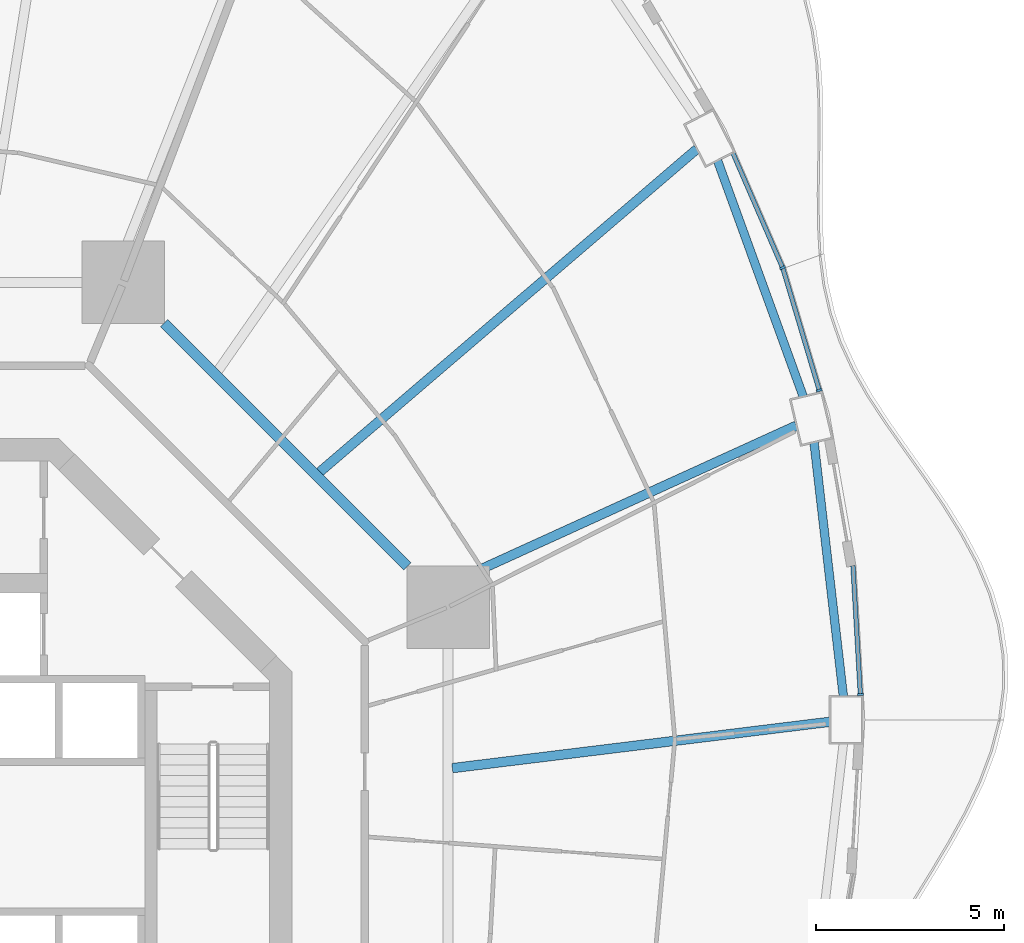
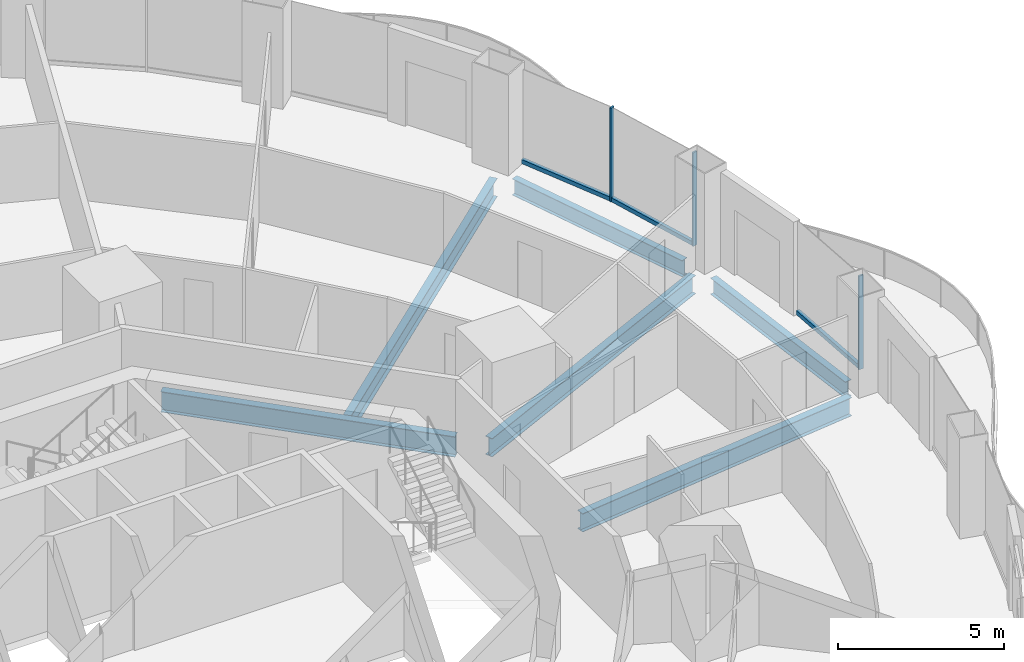
# One storey, part 10 of 22: 6 beams, 6 members, 3 elements without a shape of their own.
"""IFC4 building model written with IfcOpenShell, lengths in metres."""

import ifcopenshell
import ifcopenshell.guid

model = None  # the IFC model being written
_history = None  # IfcOwnerHistory: only IFC2X3 demands one
_inside = {}  # id of a spatial element -> (the spatial element, [elements in it])
_under = {}  # id of a project, library or spatial element -> (it, [spatial elements below it])
_declared = {}  # id of a project -> (the project, [libraries it declares])
_typed = {}  # id of a type object -> (the type object, [elements of that type])
_made_of = {}  # id of a material, layer set ... -> (it, [elements and type objects made of it])


def new_model(schema):
    """Start an empty IFC model of exactly this schema.

    Asked for "IFC4X3", IfcOpenShell would pick the latest addendum, in which some entities
    have other attributes; the version numbers below select the first issue.
    IFC2X3 requires an IfcOwnerHistory on every rooted entity: one is made here for all.
    """
    global model, _history
    if schema == "IFC4X3":
        model = ifcopenshell.file(schema_version=(4, 3, 0, 0))
    else:
        model = ifcopenshell.file(schema=schema)
    _inside.clear()
    _under.clear()
    _declared.clear()
    _typed.clear()
    _made_of.clear()
    _history = None
    if model.schema == "IFC2X3":
        org = make("IfcOrganization", Name="unknown")
        user = make(
            "IfcPersonAndOrganization",
            ThePerson=make("IfcPerson", FamilyName="unknown"),
            TheOrganization=org,
        )
        app = make(
            "IfcApplication",
            ApplicationDeveloper=org,
            Version="unknown",
            ApplicationFullName="unknown",
            ApplicationIdentifier="unknown",
        )
        _history = make(
            "IfcOwnerHistory",
            OwningUser=user,
            OwningApplication=app,
            ChangeAction="ADDED",
            CreationDate=0,
        )
    return model


def make(cls, **values):
    """One entity of the class cls with the attributes given. An attribute that is None is left unset."""
    return model.create_entity(
        cls, **{name: value for name, value in values.items() if value is not None}
    )


def rooted(cls, **values):
    """An entity with a GlobalId (a new one), such as an element, a storey or a relation."""
    return make(cls, GlobalId=ifcopenshell.guid.new(), OwnerHistory=_history, **values)


def si_unit(unit_type, name, prefix=None):
    """IfcSIUnit, for example si_unit("LENGTHUNIT", "METRE", prefix="MILLI")."""
    return make("IfcSIUnit", UnitType=unit_type, Prefix=prefix, Name=name)


def assignment(units):
    """IfcUnitAssignment: the units of a project."""
    return None if units is None else make("IfcUnitAssignment", Units=units)


def point(xyz):
    """IfcCartesianPoint."""
    return None if xyz is None else make("IfcCartesianPoint", Coordinates=xyz)


def direction(xyz):
    """IfcDirection."""
    return None if xyz is None else make("IfcDirection", DirectionRatios=xyz)


def frame(location, z_axis=None, x_axis=None):
    """IfcAxis2Placement3D, a coordinate frame: its origin and axes. An axis left out is left unset."""
    return make(
        "IfcAxis2Placement3D",
        Location=point(location),
        Axis=direction(z_axis),
        RefDirection=direction(x_axis),
    )


def frame_2d(location, x_axis=None):
    """IfcAxis2Placement2D, a coordinate frame in the plane: its origin and x axis."""
    return make(
        "IfcAxis2Placement2D", Location=point(location), RefDirection=direction(x_axis)
    )


def origin():
    """The frame at (0, 0, 0) with its axes left unset."""
    return frame((0.0, 0.0, 0.0))


def origin_2d():
    """The frame at (0, 0) in the plane with its x axis left unset."""
    return frame_2d((0.0, 0.0))


def place(relative_to, where):
    """IfcLocalPlacement: puts the frame where relative to a parent placement (None: the world)."""
    return make(
        "IfcLocalPlacement", PlacementRelTo=relative_to, RelativePlacement=where
    )


def context(
    kind, dimensions, precision=None, world=None, true_north=None, identifier=None
):
    """IfcGeometricRepresentationContext, for example the 3D "Model" context."""
    return make(
        "IfcGeometricRepresentationContext",
        ContextIdentifier=identifier,
        ContextType=kind,
        CoordinateSpaceDimension=dimensions,
        Precision=precision,
        WorldCoordinateSystem=world,
        TrueNorth=true_north,
    )


def subcontext(parent, identifier, kind, view, scale=None):
    """IfcGeometricRepresentationSubContext, for example "Body" below "Model"."""
    return make(
        "IfcGeometricRepresentationSubContext",
        ContextIdentifier=identifier,
        ContextType=kind,
        ParentContext=parent,
        TargetScale=scale,
        TargetView=view,
    )


def project(units=None, contexts=None):
    """IfcProject with its units and contexts."""
    return rooted(
        "IfcProject",
        Name="project",
        RepresentationContexts=contexts,
        UnitsInContext=assignment(units),
    )


def spatial(cls, under=None, at=None, **own):
    """A site, building, storey or space (cls), placed at a placement, below another one or the project."""
    s = rooted(cls, ObjectPlacement=at, **own)
    if under is not None:
        _under.setdefault(under.id(), (under, []))[1].append(s)
    return s


def profile(cls, at=None, kind="AREA", **sizes):
    """A parametric profile (cls). Its sizes go by their IFC names, for example OverallWidth=200.0."""
    return make(cls, ProfileType=kind, Position=at, **sizes)


def rectangle(**sizes):
    """IfcRectangleProfileDef."""
    return profile("IfcRectangleProfileDef", **sizes)


def i_section(**sizes):
    """IfcIShapeProfileDef."""
    return profile("IfcIShapeProfileDef", **sizes)


def extrude(swept, where, along, depth):
    """IfcExtrudedAreaSolid: the profile swept, set in the frame where, extruded along a direction by depth."""
    return make(
        "IfcExtrudedAreaSolid",
        SweptArea=swept,
        Position=where,
        ExtrudedDirection=direction(along),
        Depth=depth,
    )


def shape(context_of_items, identifier, shape_type, items):
    """IfcShapeRepresentation: the items that make up one representation, for example the "Body"."""
    return make(
        "IfcShapeRepresentation",
        ContextOfItems=context_of_items,
        RepresentationIdentifier=identifier,
        RepresentationType=shape_type,
        Items=items,
    )


def material(Name=None, Category=None):
    """IfcMaterial."""
    return make("IfcMaterial", Name=Name, Category=Category)


def layer(
    of_material, thickness, ventilated=None, Name=None, Category=None, Priority=None
):
    """IfcMaterialLayer: one layer of a wall or slab, of a material (None: an air gap)."""
    return make(
        "IfcMaterialLayer",
        Material=of_material,
        LayerThickness=thickness,
        IsVentilated=ventilated,
        Name=Name,
        Category=Category,
        Priority=Priority,
    )


def layer_set(layers, Name=None):
    """IfcMaterialLayerSet."""
    return make("IfcMaterialLayerSet", MaterialLayers=layers, LayerSetName=Name)


def material_profile(
    of_material, cross_section, Name=None, Category=None, Priority=None
):
    """IfcMaterialProfile: a cross section and its material."""
    return make(
        "IfcMaterialProfile",
        Name=Name,
        Material=of_material,
        Profile=cross_section,
        Priority=Priority,
        Category=Category,
    )


def profile_set(profiles, Name=None, composite=None):
    """IfcMaterialProfileSet."""
    return make(
        "IfcMaterialProfileSet",
        Name=Name,
        MaterialProfiles=profiles,
        CompositeProfile=composite,
    )


def made_of(thing, what):
    """Note that an element or type object is made of a material, layer set ...; save() writes the relation."""
    if what is not None:
        _made_of.setdefault(what.id(), (what, []))[1].append(thing)
    return thing


def type_object(cls, material=None, **own):
    """A type object (cls), such as IfcWallType, which elements share."""
    return made_of(rooted(cls, **own), material)


def element(
    cls,
    number,
    at=None,
    inside=None,
    cuts=None,
    type_object=None,
    material=None,
    context=None,
    identifier="Body",
    shape_type=None,
    held_by="IfcProductDefinitionShape",
    body=None,
    shapes=None,
    **own,
):
    """One element of the class cls, such as IfcWall. Its Tag is "e" and its number.

    at: its placement. inside: the storey or other place that contains it. cuts: it is an
    opening in that element (IfcRelVoidsElement). A single representation is given by context,
    identifier, shape_type and body (its items); several are given by shapes. held_by: the class
    of the entity that holds the representations. save() writes the other relations.
    """
    e = rooted(cls, Tag="e%d" % number, ObjectPlacement=at, **own)
    if body is not None:
        shapes = [shape(context, identifier, shape_type, body)]
    if shapes is not None:
        e.Representation = make(held_by, Representations=shapes)
    if inside is not None:
        _inside.setdefault(inside.id(), (inside, []))[1].append(e)
    if cuts is not None:
        rooted(
            "IfcRelVoidsElement", RelatingBuildingElement=cuts, RelatedOpeningElement=e
        )
    if type_object is not None:
        _typed.setdefault(type_object.id(), (type_object, []))[1].append(e)
    return made_of(e, material)


def aggregate(whole, parts):
    """IfcRelAggregates: a whole, such as a stair, and the parts it consists of."""
    return rooted("IfcRelAggregates", RelatingObject=whole, RelatedObjects=parts)


def save(model, path):
    """Write the relations noted so far, then the file.

    IfcRelAggregates (storeys below a building ...), IfcRelContainedInSpatialStructure (elements
    in a storey), IfcRelDefinesByType, IfcRelAssociatesMaterial and IfcRelDeclares: one each for
    every whole, place, type object, material and project.
    """
    for whole, parts in _under.values():
        aggregate(whole, parts)
    for where, things in _inside.values():
        rooted(
            "IfcRelContainedInSpatialStructure",
            RelatedElements=things,
            RelatingStructure=where,
        )
    for kind, things in _typed.values():
        rooted("IfcRelDefinesByType", RelatedObjects=things, RelatingType=kind)
    for what, things in _made_of.values():
        rooted("IfcRelAssociatesMaterial", RelatedObjects=things, RelatingMaterial=what)
    for by, libraries in _declared.values():
        rooted("IfcRelDeclares", RelatingContext=by, RelatedDefinitions=libraries)
    model.write(path)


model = new_model("IFC4")

# Units and contexts
model_context = context("Model", 3, precision=1e-05, world=origin(), true_north=direction((0.0, 1.0)))
body_context = subcontext(model_context, "Body", "Model", "MODEL_VIEW")
ifc_project = project(units=[si_unit("LENGTHUNIT", "METRE"), si_unit("AREAUNIT", "SQUARE_METRE"), si_unit("VOLUMEUNIT", "CUBIC_METRE"), si_unit("PLANEANGLEUNIT", "RADIAN"), si_unit("MASSUNIT", "GRAM", prefix="KILO")], contexts=[model_context])

# Site, building, storey
site_placement = place(None, origin())
site = spatial("IfcSite", under=ifc_project, at=site_placement, CompositionType="ELEMENT")
building_placement = place(site_placement, origin())
building = spatial("IfcBuilding", under=site, at=building_placement, Name="Nagisa Residences", CompositionType="ELEMENT")
storey_placement = place(building_placement, frame((0.0, 0.0, 91.800048828125)))
storey = spatial("IfcBuildingStorey", under=building, at=storey_placement, Name="L22", CompositionType="ELEMENT", Elevation=91.800048828125)

# Curtain wall, member
ifc_material_1 = material(Name="Concrete-coloured aluminium curtain wall system", Category="concrete")
ifc_layer = layer(ifc_material_1, 0.159912109375)
ifc_layer_set = layer_set([ifc_layer], Name="CW1 CURTAIN WALL")
curtain_wall_type = type_object("IfcCurtainWallType", Name="CW1 CURTAIN WALL", PredefinedType="NOTDEFINED", material=ifc_layer_set)
curtain_wall_1_placement = place(storey_placement, origin())
curtain_wall_1 = element("IfcCurtainWall", 1, at=curtain_wall_1_placement, inside=storey, type_object=curtain_wall_type, Name="cw:CW1:L22:00", PredefinedType="NOTDEFINED")
ifc_material_2 = material(Name="Concrete-coloured aluminium", Category="concrete")
ifc_material_profile_1 = material_profile(ifc_material_2, rectangle(XDim=0.159912109375, YDim=0.06005859375, at=origin_2d()), Name="CW1 MULLION 160x60")
ifc_profile_set_1 = profile_set([ifc_material_profile_1], Name="Concrete-coloured aluminium")
member_type_1 = type_object("IfcMemberType", Name="CW1 MULLION 160x60", PredefinedType="MULLION", material=ifc_profile_set_1)
member_1_placement = place(storey_placement, frame((25.776123046875, 3.7919921875, 0.0), z_axis=(0.0, 0.0, 1.0), x_axis=(-0.998345305184, -0.057503492216, 0.0)))
member_1 = element("IfcMember", 2, at=member_1_placement, type_object=member_type_1, Name="CW1 mullion", PredefinedType="MULLION", context=body_context, shape_type="SweptSolid", body=[
    extrude(rectangle(XDim=0.159912109375, YDim=0.06005859375, at=origin_2d()), origin(), (0.0, 0.0, 1.0), 3.43994140625),
])

curtain_wall_2_placement = place(storey_placement, origin())
curtain_wall_2 = element("IfcCurtainWall", 3, at=curtain_wall_2_placement, inside=storey, type_object=curtain_wall_type, Name="cw:CW1:L22:02", PredefinedType="NOTDEFINED")
member_2_placement = place(storey_placement, frame((24.68017578125, 11.903076171875, 0.0), z_axis=(0.0, 0.0, 1.0), x_axis=(-0.958271310082, -0.285860274038, 0.0)))
member_2 = element("IfcMember", 4, at=member_2_placement, type_object=member_type_1, Name="CW1 mullion", PredefinedType="MULLION", context=body_context, shape_type="SweptSolid", body=[
    extrude(rectangle(XDim=0.159912109375, YDim=0.06005859375, at=origin_2d()), origin(), (0.0, 0.0, 1.0), 3.43994140625),
])

curtain_wall_3_placement = place(storey_placement, origin())
curtain_wall_3 = element("IfcCurtainWall", 5, at=curtain_wall_3_placement, inside=storey, type_object=curtain_wall_type, Name="cw:CW1:L22:03", PredefinedType="NOTDEFINED")
member_3_placement = place(storey_placement, frame((23.701416015625, 15.173583984375, 0.0), z_axis=(0.0, 0.0, 1.0), x_axis=(-0.917543276295, -0.397635934147, 0.0)))
member_3 = element("IfcMember", 6, at=member_3_placement, type_object=member_type_1, Name="CW1 mullion", PredefinedType="MULLION", context=body_context, shape_type="SweptSolid", body=[
    extrude(rectangle(XDim=0.159912109375, YDim=0.06005859375, at=origin_2d()), origin(), (0.0, 0.0, 1.0), 3.43994140625),
])

# Member
ifc_material_3 = material(Name="Concrete-coloured aluminium", Category="concrete")
ifc_material_profile_2 = material_profile(ifc_material_3, rectangle(XDim=0.1201171875, YDim=0.14990234375, at=origin_2d()), Name="CW1 TRANSOM 120x150")
ifc_profile_set_2 = profile_set([ifc_material_profile_2], Name="Concrete-coloured aluminium")
member_type_2 = type_object("IfcMemberType", Name="CW1 TRANSOM 120x150", PredefinedType="USERDEFINED", material=ifc_profile_set_2)
member_4_placement = place(storey_placement, frame((25.77783203125, 3.761962890625, 0.074951171875), z_axis=(-0.057546644052, 0.998342818754, 0.0), x_axis=(-0.998342818754, -0.057546644052, 0.0)))
member_4 = element("IfcMember", 7, at=member_4_placement, type_object=member_type_2, Name="CW1 transom", ObjectType="TRANSOM", PredefinedType="USERDEFINED", context=body_context, shape_type="SweptSolid", body=[
    extrude(rectangle(XDim=0.1201171875, YDim=0.14990234375, at=origin_2d()), origin(), (0.0, 0.0, 1.0), 3.470458984375),
])

aggregate(curtain_wall_1, [member_1, member_4])

member_5_placement = place(storey_placement, frame((24.68896484375, 11.874267578125, 0.074951171875), z_axis=(-0.285882094477, 0.958264800594, 0.0), x_axis=(-0.958264800594, -0.285882094477, 0.0)))
member_5 = element("IfcMember", 8, at=member_5_placement, type_object=member_type_2, Name="CW1 transom", ObjectType="TRANSOM", PredefinedType="USERDEFINED", context=body_context, shape_type="SweptSolid", body=[
    extrude(rectangle(XDim=0.1201171875, YDim=0.14990234375, at=origin_2d()), origin(), (0.0, 0.0, 1.0), 3.423583984375),
])

aggregate(curtain_wall_2, [member_2, member_5])

member_6_placement = place(storey_placement, frame((23.71337890625, 15.146240234375, 0.074951171875), z_axis=(-0.397621629246, 0.917549475481, 0.0), x_axis=(-0.917549475481, -0.397621629246, 0.0)))
member_6 = element("IfcMember", 9, at=member_6_placement, type_object=member_type_2, Name="CW1 transom", ObjectType="TRANSOM", PredefinedType="USERDEFINED", context=body_context, shape_type="SweptSolid", body=[
    extrude(rectangle(XDim=0.1201171875, YDim=0.14990234375, at=origin_2d()), origin(), (0.0, 0.0, 1.0), 3.37939453125),
])

aggregate(curtain_wall_3, [member_3, member_6])

# Beams
ifc_material_4 = material(Name="Steel ASTM A572 Gr 50", Category="steel")
ifc_material_profile_3 = material_profile(ifc_material_4, i_section(OverallWidth=0.264892578125, OverallDepth=0.7529296875, WebThickness=0.01318359375, FlangeThickness=0.01708984375, at=origin_2d()), Name="W760x147")
ifc_profile_set_3 = profile_set([ifc_material_profile_3], Name="Steel ASTM A572 Gr 50")
beam_type_1 = type_object("IfcBeamType", Name="Inner ring beam W760x147", PredefinedType="BEAM", material=ifc_profile_set_3)
beam_1_placement = place(storey_placement, frame((13.6962890625, 7.208740234375, -0.636474609375), z_axis=(-0.707106781187, 0.707106781187, 0.0), x_axis=(-0.707106781187, -0.707106781187, 0.0)))
element("IfcBeam", 10, at=beam_1_placement, inside=storey, type_object=beam_type_1, Name="beam:L22:ib1", PredefinedType="BEAM", context=body_context, shape_type="SweptSolid", body=[
    extrude(i_section(OverallWidth=0.264892578125, OverallDepth=0.7529296875, WebThickness=0.01318359375, FlangeThickness=0.01708984375, at=origin_2d()), origin(), (0.0, 0.0, 1.0), 9.1748046875),
])
ifc_material_5 = material(Name="Steel ASTM A572 Gr 50", Category="steel")
ifc_material_profile_4 = material_profile(ifc_material_5, i_section(OverallWidth=0.22802734375, OverallDepth=0.60302734375, WebThickness=0.010498046875, FlangeThickness=0.014892578125, at=origin_2d()), Name="W610x101")
ifc_profile_set_4 = profile_set([ifc_material_profile_4], Name="Steel ASTM A572 Gr 50")
beam_type_2 = type_object("IfcBeamType", Name="Perimeter ring beam W610x101", PredefinedType="BEAM", material=ifc_profile_set_4)
beam_2_placement = place(storey_placement, frame((25.322265625, 3.747802734375, -0.5615234375), z_axis=(-0.114690766503, 0.993401242237, 0.0), x_axis=(-0.993401242237, -0.114690766503, 0.0)))
element("IfcBeam", 11, at=beam_2_placement, inside=storey, type_object=beam_type_2, Name="beam:L22:pb01", PredefinedType="BEAM", context=body_context, shape_type="SweptSolid", body=[
    extrude(i_section(OverallWidth=0.22802734375, OverallDepth=0.60302734375, WebThickness=0.010498046875, FlangeThickness=0.014892578125, at=origin_2d()), origin(), (0.0, 0.0, 1.0), 6.811767578125),
])
beam_3_placement = place(storey_placement, frame((24.251708984375, 11.7412109375, -0.5615234375), z_axis=(-0.341365002286, 0.939930814057, 0.0), x_axis=(-0.939930814057, -0.341365002286, 0.0)))
element("IfcBeam", 12, at=beam_3_placement, inside=storey, type_object=beam_type_2, Name="beam:L22:pb02", PredefinedType="BEAM", context=body_context, shape_type="SweptSolid", body=[
    extrude(i_section(OverallWidth=0.22802734375, OverallDepth=0.60302734375, WebThickness=0.010498046875, FlangeThickness=0.014892578125, at=origin_2d()), origin(), (0.0, 0.0, 1.0), 6.689208984375),
])
ifc_material_6 = material(Name="Steel ASTM A572 Gr 50", Category="steel")
ifc_material_profile_5 = material_profile(ifc_material_6, i_section(OverallWidth=0.2529296875, OverallDepth=0.677978515625, WebThickness=0.01171875, FlangeThickness=0.016357421875, at=origin_2d()), Name="W690x125")
ifc_profile_set_5 = profile_set([ifc_material_profile_5], Name="Steel ASTM A572 Gr 50")
beam_type_3 = type_object("IfcBeamType", Name="Radial beam W690x125", PredefinedType="BEAM", material=ifc_profile_set_5)
beam_4_placement = place(storey_placement, frame((24.96484375, 3.06494140625, -0.59912109375), z_axis=(-0.992547591761, -0.121857614, 0.0), x_axis=(0.121857614, -0.992547591761, 0.0)))
element("IfcBeam", 13, at=beam_4_placement, inside=storey, type_object=beam_type_3, Name="beam:L22:rb01", PredefinedType="BEAM", context=body_context, shape_type="SweptSolid", body=[
    extrude(i_section(OverallWidth=0.2529296875, OverallDepth=0.677978515625, WebThickness=0.01171875, FlangeThickness=0.016357421875, at=origin_2d()), origin(), (0.0, 0.0, 1.0), 10.145751953125),
])
beam_5_placement = place(storey_placement, frame((24.069091796875, 10.963134765625, -0.59912109375), z_axis=(-0.91004744246, -0.414504104288, 0.0), x_axis=(0.414504104288, -0.91004744246, 0.0)))
element("IfcBeam", 14, at=beam_5_placement, inside=storey, type_object=beam_type_3, Name="beam:L22:rb02", PredefinedType="BEAM", context=body_context, shape_type="SweptSolid", body=[
    extrude(i_section(OverallWidth=0.2529296875, OverallDepth=0.677978515625, WebThickness=0.01171875, FlangeThickness=0.016357421875, at=origin_2d()), origin(), (0.0, 0.0, 1.0), 10.544189453125),
])
beam_6_placement = place(storey_placement, frame((21.4150390625, 18.3369140625, -0.59912109375), z_axis=(-0.759585472841, -0.650407494921, 0.0), x_axis=(0.650407494921, -0.759585472841, 0.0)))
element("IfcBeam", 15, at=beam_6_placement, inside=storey, type_object=beam_type_3, Name="beam:L22:rb03", PredefinedType="BEAM", context=body_context, shape_type="SweptSolid", body=[
    extrude(i_section(OverallWidth=0.2529296875, OverallDepth=0.677978515625, WebThickness=0.01171875, FlangeThickness=0.016357421875, at=origin_2d()), origin(), (0.0, 0.0, 1.0), 13.25390625),
])

save(model, "model.ifc")
